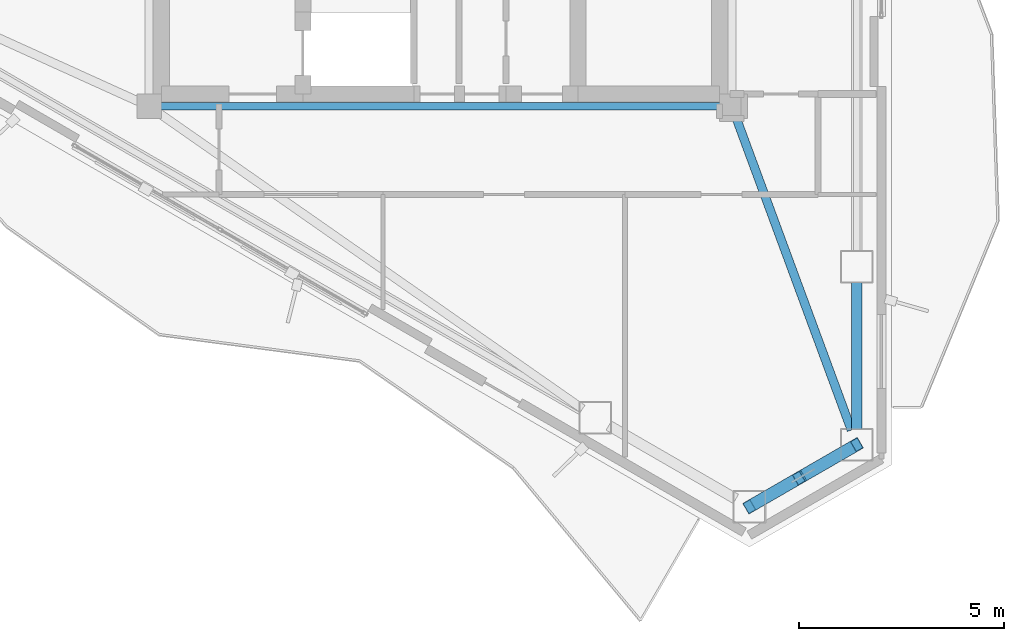
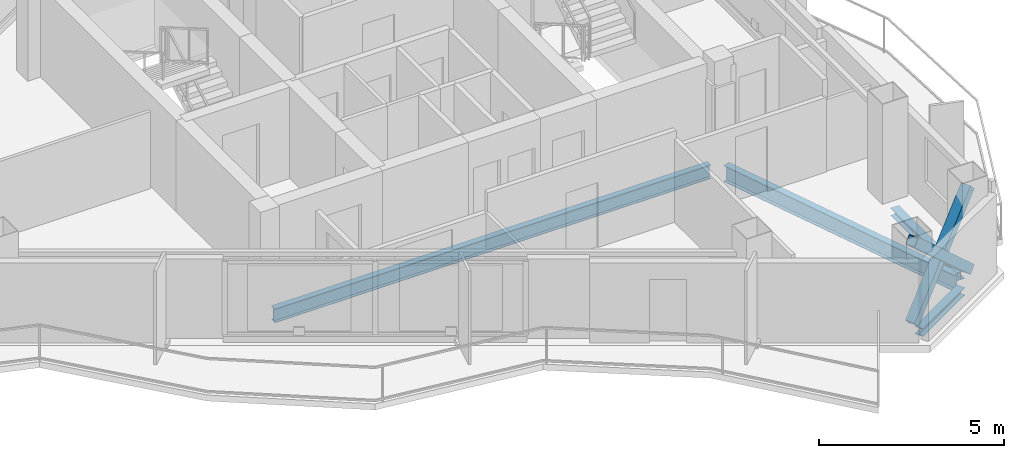
# One storey, part 6 of 18: 4 beams, 3 members.
"""IFC4 building model written with IfcOpenShell, lengths in metres."""

from ifc_helpers import new_model, si_unit, direction, frame, origin, origin_2d, place, context, subcontext, project, spatial, hollow_rectangle, i_section, extrude, material, material_profile, profile_set, type_object, element, save


model = new_model("IFC4")

# Units and contexts
model_context = context("Model", 3, precision=1e-05, world=origin(), true_north=direction((0.0, 1.0)))
body_context = subcontext(model_context, "Body", "Model", "MODEL_VIEW")
ifc_project = project(units=[si_unit("LENGTHUNIT", "METRE"), si_unit("AREAUNIT", "SQUARE_METRE"), si_unit("VOLUMEUNIT", "CUBIC_METRE"), si_unit("PLANEANGLEUNIT", "RADIAN"), si_unit("MASSUNIT", "GRAM", prefix="KILO")], contexts=[model_context])

# Site, building, storey
site_placement = place(None, origin())
site = spatial("IfcSite", under=ifc_project, at=site_placement, CompositionType="ELEMENT")
building_placement = place(site_placement, origin())
building = spatial("IfcBuilding", under=site, at=building_placement, Name="Mersakhor Tower and Convention Hall", CompositionType="ELEMENT")
storey_placement = place(building_placement, frame((0.0, 0.0, 246.300048828125)))
storey = spatial("IfcBuildingStorey", under=building, at=storey_placement, Name="L69", CompositionType="ELEMENT", Elevation=246.300048828125)

# Beams
ifc_material_1 = material(Name="Steel S355", Category="steel")
ifc_material_profile_1 = material_profile(ifc_material_1, i_section(OverallWidth=0.19140625, OverallDepth=0.4599609375, WebThickness=0.010009765625, FlangeThickness=0.01611328125, at=origin_2d()), Name="UB 457x191x82")
ifc_profile_set_1 = profile_set([ifc_material_profile_1], Name="Steel S355")
beam_type_1 = type_object("IfcBeamType", Name="BM-FB-457", PredefinedType="BEAM", material=ifc_profile_set_1)
beam_1_placement = place(storey_placement, frame((35.820068359375, 20.449951171875, -0.449951171875), z_axis=(-1.0, 0.0, 0.0), x_axis=(0.0, -1.0, 0.0)))
element("IfcBeam", 1, at=beam_1_placement, inside=storey, type_object=beam_type_1, Name="L69 Core Ring Tie Beam CRB-4", PredefinedType="BEAM", context=body_context, shape_type="SweptSolid", body=[
    extrude(i_section(OverallWidth=0.19140625, OverallDepth=0.4599609375, WebThickness=0.010009765625, FlangeThickness=0.01611328125, at=origin_2d()), origin(), (0.0, 0.0, 1.0), 13.64013671875),
])
ifc_material_2 = material(Name="Steel S355", Category="steel")
ifc_material_profile_2 = material_profile(ifc_material_2, i_section(OverallWidth=0.2099609375, OverallDepth=0.53662109375, WebThickness=0.0107421875, FlangeThickness=0.017333984375, at=origin_2d()), Name="UB 533x210x101")
ifc_profile_set_2 = profile_set([ifc_material_profile_2], Name="Steel S355")
beam_type_2 = type_object("IfcBeamType", Name="BM-FB-533", PredefinedType="BEAM", material=ifc_profile_set_2)
beam_2_placement = place(storey_placement, frame((36.197021484375, 20.187255859375, -0.48828125), z_axis=(0.346207764595, -0.938157867171, 0.0), x_axis=(0.938157867171, 0.346207764595, 0.0)))
element("IfcBeam", 2, at=beam_2_placement, inside=storey, type_object=beam_type_2, Name="L69 Primary Floor Girder FG-4", PredefinedType="BEAM", context=body_context, shape_type="SweptSolid", body=[
    extrude(i_section(OverallWidth=0.2099609375, OverallDepth=0.53662109375, WebThickness=0.0107421875, FlangeThickness=0.017333984375, at=origin_2d()), origin(), (0.0, 0.0, 1.0), 8.128662109375),
])
ifc_material_3 = material(Name="Steel S355", Category="steel")
ifc_material_profile_3 = material_profile(ifc_material_3, i_section(OverallWidth=0.25634765625, OverallDepth=0.26025390625, WebThickness=0.01025390625, FlangeThickness=0.017333984375, at=origin_2d()), Name="UC 254x254x89")
ifc_profile_set_3 = profile_set([ifc_material_profile_3], Name="Steel S355")
beam_type_3 = type_object("IfcBeamType", Name="BM-SPD-UC254", PredefinedType="SPANDREL", material=ifc_profile_set_3)
beam_3_placement = place(storey_placement, frame((39.142822265625, 16.1591796875, -0.35009765625), z_axis=(0.0, -1.0, 0.0), x_axis=(1.0, 0.0, 0.0)))
element("IfcBeam", 3, at=beam_3_placement, inside=storey, type_object=beam_type_3, Name="L69 Perimeter Spandrel Beam SPB-07", PredefinedType="SPANDREL", context=body_context, shape_type="SweptSolid", body=[
    extrude(i_section(OverallWidth=0.25634765625, OverallDepth=0.26025390625, WebThickness=0.01025390625, FlangeThickness=0.017333984375, at=origin_2d()), origin(), (0.0, 0.0, 1.0), 3.574462890625),
])
beam_4_placement = place(storey_placement, frame((38.813720703125, 12.0146484375, -0.35009765625), z_axis=(-0.866016678684, -0.500015112013, 0.0), x_axis=(0.500015112013, -0.866016678684, 0.0)))
element("IfcBeam", 4, at=beam_4_placement, inside=storey, type_object=beam_type_3, Name="L69 Perimeter Spandrel Beam SPB-08", PredefinedType="SPANDREL", context=body_context, shape_type="SweptSolid", body=[
    extrude(i_section(OverallWidth=0.25634765625, OverallDepth=0.26025390625, WebThickness=0.01025390625, FlangeThickness=0.017333984375, at=origin_2d()), origin(), (0.0, 0.0, 1.0), 2.2626953125),
])

# Members
ifc_material_4 = material(Name="Steel S355", Category="steel")
ifc_material_profile_4 = material_profile(ifc_material_4, hollow_rectangle(XDim=0.300048828125, YDim=0.300048828125, WallThickness=0.01611328125, at=origin_2d()), Name="SHS 300x300x16")
ifc_profile_set_4 = profile_set([ifc_material_profile_4], Name="Steel S355")
member_type = type_object("IfcMemberType", Name="MB-BRC-SHS300", PredefinedType="BRACE", material=ifc_profile_set_4)
member_placement = place(storey_placement, frame((39.142822265625, 12.20458984375, 0.14990234375), z_axis=(-0.643758757166, -0.371653302263, 0.668915903151), x_axis=(0.499978822259, -0.866037630414, 0.0)))
element("IfcMember", 5, at=member_placement, inside=storey, type_object=member_type, Name="L69 Chamfer Braced Frame Diagonal CB-2A", PredefinedType="BRACE", context=body_context, shape_type="SweptSolid", body=[
    extrude(hollow_rectangle(XDim=0.300048828125, YDim=0.300048828125, WallThickness=0.01611328125, at=origin_2d()), origin(), (0.0, 0.0, 1.0), 4.066162109375),
])
for number, where, z_axis, x_axis, name in (
    (6, (36.525146484375, 10.693359375, 0.14990234375), (0.643712975298, 0.371613338431, 0.668982161297), (-0.499965166279, 0.866045514109, 0.0), "L69 Chamfer Braced Frame Diagonal CB-2B Lower Half"),
    (7, (37.936279296875, 11.508056640625, 1.6162109375), (0.643769068574, 0.371645720891, 0.668910191648), (-0.499965166279, 0.866045514109, 0.0), "L69 Chamfer Braced Frame Diagonal CB-2B Upper Half"),
):
    element("IfcMember", number, at=place(storey_placement, frame(where, z_axis=z_axis, x_axis=x_axis)), inside=storey, type_object=member_type, Name=name, PredefinedType="BRACE", context=body_context, shape_type="SweptSolid", body=[
        extrude(hollow_rectangle(XDim=0.300048828125, YDim=0.300048828125, WallThickness=0.01611328125, at=origin_2d()), origin(), (0.0, 0.0, 1.0), 1.874267578125),
    ])

save(model, "model.ifc")
